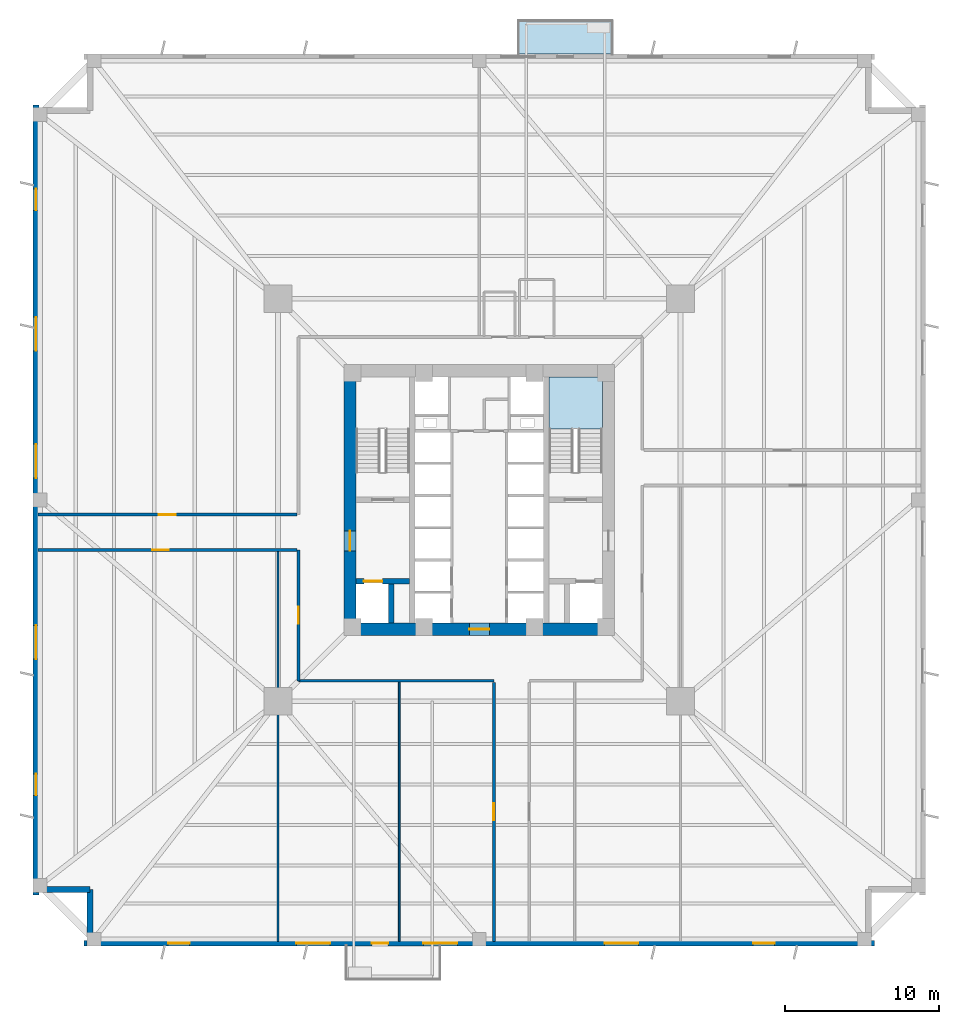
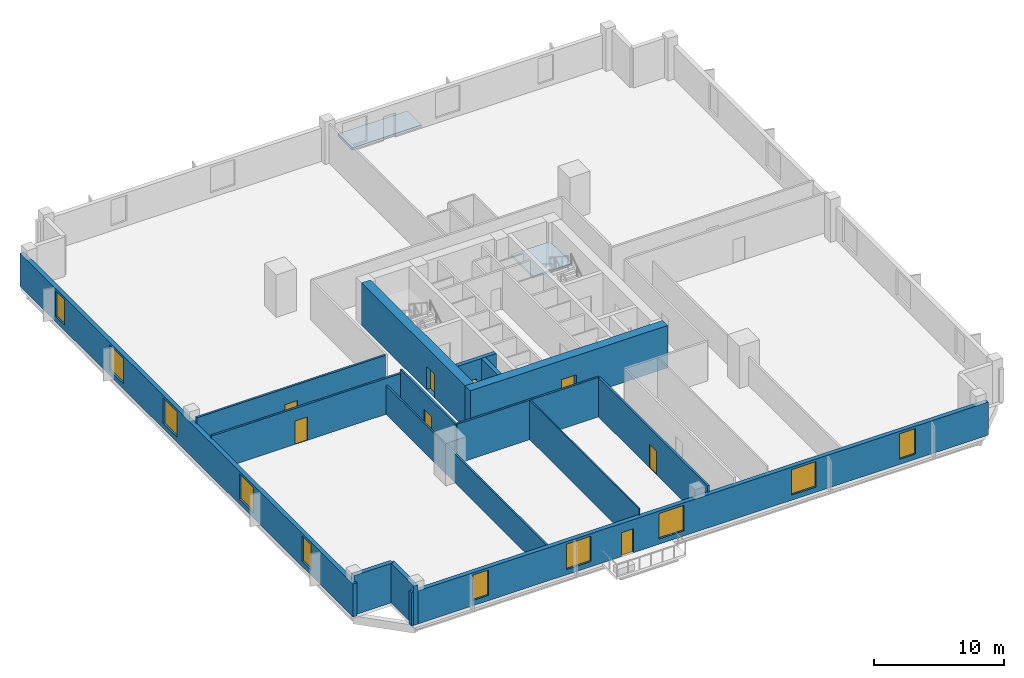
# One storey, part 2 of 8: 15 walls, 10 windows, 8 doors, 2 slabs, 18 openings, 1 element without a shape of its own.
"""IFC4 building model written with IfcOpenShell, lengths in metres."""

from ifc_helpers import new_model, si_unit, direction, frame, frame_2d, origin, place, context, subcontext, project, spatial, polyline, rectangle, outline, extrude, source, transform, mapped, material, layer, layer_set, type_object, element, fill, aggregate, save


model = new_model("IFC4")

# Units and contexts
model_context = context("Model", 3, precision=1e-05, world=origin(), true_north=direction((0.0, 1.0)))
body_context = subcontext(model_context, "Body", "Model", "MODEL_VIEW")
ifc_project = project(units=[si_unit("LENGTHUNIT", "METRE"), si_unit("AREAUNIT", "SQUARE_METRE"), si_unit("VOLUMEUNIT", "CUBIC_METRE"), si_unit("PLANEANGLEUNIT", "RADIAN"), si_unit("MASSUNIT", "GRAM", prefix="KILO"), si_unit("THERMODYNAMICTEMPERATUREUNIT", "KELVIN")], contexts=[model_context])

# Site, building, storey
site_placement = place(None, origin())
site = spatial("IfcSite", under=ifc_project, at=site_placement, CompositionType="ELEMENT")
building_placement = place(site_placement, origin())
building = spatial("IfcBuilding", under=site, at=building_placement, Name="Kosmvard Interchange Tower", CompositionType="ELEMENT")
storey_placement = place(building_placement, frame((0.0, 0.0, 54.0)))
storey = spatial("IfcBuildingStorey", under=building, at=storey_placement, Name="L12", CompositionType="ELEMENT", Elevation=54.0)

# Stair, slab
ifc_material_1 = material(Name="Concrete C50/60", Category="concrete")
stair_type = type_object("IfcStairType", Name="Dog-Leg Core Exit Stair H4000 C50/60", PredefinedType="HALF_TURN_STAIR", material=ifc_material_1)
stair_placement = place(storey_placement, origin())
stair = element("IfcStair", 1, at=stair_placement, inside=storey, type_object=stair_type, Name="L12 Protected Exit Stair ST-2", PredefinedType="HALF_TURN_STAIR")
ifc_layer_1 = layer(ifc_material_1, 0.199951171875, Name="Concrete C50/60")
ifc_layer_set_1 = layer_set([ifc_layer_1], Name="Concrete C50/60")
slab_type_1 = type_object("IfcSlabType", Name="Stair Half-Landing Slab 200 C50/60", PredefinedType="LANDING", material=ifc_layer_set_1)
slab_1_placement = place(storey_placement, frame((0.0, 0.0, 1.800048828125)))
slab_1 = element("IfcSlab", 2, at=slab_1_placement, type_object=slab_type_1, Name="ST-2 landing 1", PredefinedType="LANDING", context=body_context, shape_type="SweptSolid", body=[
    extrude(outline(polyline([(8.0, 4.60009765625), (8.0, 8.0), (4.5400390625, 8.0), (4.5400390625, 4.60009765625), (8.0, 4.60009765625)])), origin(), (0.0, 0.0, 1.0), 0.199951171875),
])
aggregate(stair, [slab_1])

# Slab
ifc_layer_2 = layer(ifc_material_1, 0.22998046875, Name="Concrete C50/60")
ifc_layer_set_2 = layer_set([ifc_layer_2], Name="Concrete C50/60")
slab_type_2 = type_object("IfcSlabType", Name="Tree-Planter Cantilever Balcony Slab 230 C50/60", PredefinedType="FLOOR", material=ifc_layer_set_2)
slab_2_placement = place(storey_placement, frame((0.0, 0.0, -0.22998046875)))
element("IfcSlab", 3, at=slab_2_placement, inside=storey, type_object=slab_type_2, Name="L12 Outdoor Terrace Balcony Slab BAL-L12-N", PredefinedType="FLOOR", context=body_context, shape_type="SweptSolid", body=[
    extrude(outline(polyline([(2.5, 29.0), (8.699951171875, 29.0), (8.699951171875, 31.199951171875), (2.5, 31.199951171875), (2.5, 29.0)])), origin(), (0.0, 0.0, 1.0), 0.22998046875),
])

# Walls
ifc_material_2 = material(Name="Acoustic gypsum partition system")
ifc_layer_3 = layer(ifc_material_2, 0.14990234375, Name="Acoustic gypsum partition system")
ifc_layer_set_3 = layer_set([ifc_layer_3], Name="Acoustic gypsum partition system")
wall_type_1 = type_object("IfcWallType", Name="Acoustic Suite & Meeting Partition 150", PredefinedType="PARTITIONING", material=ifc_layer_set_3)
wall_1_placement = place(storey_placement, frame((-13.0810546875, -28.68505859375, 0.0), z_axis=(0.0, 0.0, 1.0), x_axis=(0.0, 1.0, 0.0)))
element("IfcWall", 4, at=wall_1_placement, inside=storey, type_object=wall_type_1, Name="L12 Room Partition 04.1", PredefinedType="PARTITIONING", context=body_context, shape_type="SweptSolid", body=[
    extrude(rectangle(XDim=25.340087890625, YDim=0.14990234375, at=frame_2d((12.669921875, 0.0))), origin(), (0.0, 0.0, 1.0), 2.7119140625),
])
ifc_material_3 = material(Name="Fire-rated gypsum partition system")
ifc_layer_4 = layer(ifc_material_3, 0.179931640625, Name="Fire-rated gypsum partition system")
ifc_layer_set_4 = layer_set([ifc_layer_4], Name="Fire-rated gypsum partition system")
wall_type_2 = type_object("IfcWallType", Name="Corridor & Hotel Compartment Partition 180", PredefinedType="PARTITIONING", material=ifc_layer_set_4)
wall_2_placement = place(storey_placement, frame((-11.75, -11.75, 0.0), z_axis=(0.0, 0.0, 1.0), x_axis=(1.0, 0.0, 0.0)))
element("IfcWall", 5, at=wall_2_placement, inside=storey, type_object=wall_type_2, Name="L12 Corridor Wall CSW", PredefinedType="PARTITIONING", context=body_context, shape_type="SweptSolid", body=[
    extrude(rectangle(XDim=12.699951171875, YDim=0.179931640625, at=frame_2d((6.35009765625, 0.0))), origin(), (0.0, 0.0, 1.0), 3.719970703125),
])

# Wall, opening, door
wall_3_placement = place(storey_placement, frame((-11.75, -11.75, 0.0), z_axis=(0.0, 0.0, 1.0), x_axis=(0.0, 1.0, 0.0)))
wall_3 = element("IfcWall", 6, at=wall_3_placement, inside=storey, type_object=wall_type_2, Name="L12 Corridor Wall CWS", PredefinedType="PARTITIONING", context=body_context, shape_type="SweptSolid", body=[
    extrude(rectangle(XDim=8.5, YDim=0.179931640625, at=frame_2d((4.25, 0.0))), origin(), (0.0, 0.0, 1.0), 3.719970703125),
])
opening_1_placement = place(wall_3_placement, frame((3.699951171875, 0.0, 0.0)))
opening_1 = element("IfcOpeningElement", 7, at=opening_1_placement, cuts=wall_3, Name="Opening L12-D09", PredefinedType="OPENING", context=body_context, shape_type="SweptSolid", body=[
    extrude(rectangle(XDim=1.10009765625, YDim=2.199951171875, at=frame_2d((0.550048828125, 1.10009765625))), frame((0.0, 0.10009765625, 0.0), z_axis=(0.0, -1.0, 0.0), x_axis=(1.0, 0.0, 0.0)), (0.0, 0.0, 1.0), 0.199951171875),
])
ifc_material_4 = material(Name="Engineered oak fire-rated timber", Category="wood")
door_type_1 = type_object("IfcDoorType", Name="Office Suite Entrance Door 1100x2200 FD30S", OperationType="NOTDEFINED", PredefinedType="DOOR", material=ifc_material_4)
shared_shape_1 = source(origin(), body_context, "Body", "SweptSolid", [
    extrude(rectangle(XDim=1.10009765625, YDim=2.199951171875, at=frame_2d((0.550048828125, 1.10009765625))), frame((0.0, 0.02490234375, 0.0), z_axis=(0.0, -1.0, 0.0), x_axis=(1.0, 0.0, 0.0)), (0.0, 0.0, 1.0), 0.050048828125),
])
door_1_placement = place(opening_1_placement, origin())
door_1 = element("IfcDoor", 8, at=door_1_placement, inside=storey, type_object=door_type_1, Name="L12 Breakout Tea Pantry Door", OperationType="SINGLE_SWING_LEFT", OverallHeight=2.199951171875, OverallWidth=1.10009765625, PredefinedType="DOOR", context=body_context, shape_type="MappedRepresentation", body=[
    mapped(shared_shape_1, transform((0.0, 0.0, 0.0), scale=1.0)),
])
fill(opening_1, door_1)

wall_4_placement = place(storey_placement, frame((-28.68505859375, -3.25, 0.0), z_axis=(0.0, 0.0, 1.0), x_axis=(1.0, 0.0, 0.0)))
wall_4 = element("IfcWall", 9, at=wall_4_placement, inside=storey, type_object=wall_type_2, Name="L12 Corridor Wall SWS", PredefinedType="PARTITIONING", context=body_context, shape_type="SweptSolid", body=[
    extrude(rectangle(XDim=16.8349609375, YDim=0.179931640625, at=frame_2d((8.41748046875, 0.0))), origin(), (0.0, 0.0, 1.0), 3.389892578125),
])
opening_2_placement = place(wall_4_placement, frame((7.41650390625, 0.0, 0.0)))
opening_2 = element("IfcOpeningElement", 10, at=opening_2_placement, cuts=wall_4, Name="Opening L12-D08", PredefinedType="OPENING", context=body_context, shape_type="SweptSolid", body=[
    extrude(rectangle(XDim=1.10009765625, YDim=2.199951171875, at=frame_2d((0.550048828125, 1.10009765625))), frame((0.0, 0.10009765625, 0.0), z_axis=(0.0, -1.0, 0.0), x_axis=(1.0, 0.0, 0.0)), (0.0, 0.0, 1.0), 0.199951171875),
])
door_2_placement = place(opening_2_placement, frame((1.10009765625, 0.0, 0.0), z_axis=(0.0, 0.0, 1.0), x_axis=(-1.0, 0.0, 0.0)))
door_2 = element("IfcDoor", 11, at=door_2_placement, inside=storey, type_object=door_type_1, Name="L12 West Open Design Studio Door", OperationType="SINGLE_SWING_RIGHT", OverallHeight=2.199951171875, OverallWidth=1.10009765625, PredefinedType="DOOR", context=body_context, shape_type="MappedRepresentation", body=[
    mapped(shared_shape_1, transform((0.0, 0.0, 0.0), scale=1.0)),
])
fill(opening_2, door_2)

wall_5_placement = place(storey_placement, frame((-28.68505859375, -0.949951171875, 0.0), z_axis=(0.0, 0.0, 1.0), x_axis=(1.0, 0.0, 0.0)))
wall_5 = element("IfcWall", 12, at=wall_5_placement, inside=storey, type_object=wall_type_2, Name="L12 Corridor Wall SWN", PredefinedType="PARTITIONING", context=body_context, shape_type="SweptSolid", body=[
    extrude(rectangle(XDim=16.8349609375, YDim=0.179931640625, at=frame_2d((8.41748046875, 0.0))), origin(), (0.0, 0.0, 1.0), 3.719970703125),
])
opening_3_placement = place(wall_5_placement, frame((7.867431640625, 0.0, 0.0)))
opening_3 = element("IfcOpeningElement", 13, at=opening_3_placement, cuts=wall_5, Name="Opening L12-D03", PredefinedType="OPENING", context=body_context, shape_type="SweptSolid", body=[
    extrude(rectangle(XDim=1.10009765625, YDim=2.199951171875, at=frame_2d((0.550048828125, 1.10009765625))), frame((0.0, 0.10009765625, 0.0), z_axis=(0.0, -1.0, 0.0), x_axis=(1.0, 0.0, 0.0)), (0.0, 0.0, 1.0), 0.199951171875),
])
door_3_placement = place(opening_3_placement, origin())
door_3 = element("IfcDoor", 14, at=door_3_placement, inside=storey, type_object=door_type_1, Name="L12 Technical Reference Library Door", OperationType="SINGLE_SWING_LEFT", OverallHeight=2.199951171875, OverallWidth=1.10009765625, PredefinedType="DOOR", context=body_context, shape_type="MappedRepresentation", body=[
    mapped(shared_shape_1, transform((0.0, 0.0, 0.0), scale=1.0)),
])
fill(opening_3, door_3)

wall_6_placement = place(storey_placement, frame((0.949951171875, -28.68505859375, 0.0), z_axis=(0.0, 0.0, 1.0), x_axis=(0.0, 1.0, 0.0)))
wall_6 = element("IfcWall", 15, at=wall_6_placement, inside=storey, type_object=wall_type_2, Name="L12 Corridor Wall SSW", PredefinedType="PARTITIONING", context=body_context, shape_type="SweptSolid", body=[
    extrude(rectangle(XDim=16.8349609375, YDim=0.179931640625, at=frame_2d((8.41748046875, 0.0))), origin(), (0.0, 0.0, 1.0), 3.719970703125),
])
opening_4_placement = place(wall_6_placement, frame((7.867431640625, 0.0, 0.0)))
opening_4 = element("IfcOpeningElement", 16, at=opening_4_placement, cuts=wall_6, Name="Opening L12-D10", PredefinedType="OPENING", context=body_context, shape_type="SweptSolid", body=[
    extrude(rectangle(XDim=1.10009765625, YDim=2.199951171875, at=frame_2d((0.550048828125, 1.10009765625))), frame((0.0, 0.10009765625, 0.0), z_axis=(0.0, -1.0, 0.0), x_axis=(1.0, 0.0, 0.0)), (0.0, 0.0, 1.0), 0.199951171875),
])
door_4_placement = place(opening_4_placement, origin())
door_4 = element("IfcDoor", 17, at=door_4_placement, inside=storey, type_object=door_type_1, Name="L12 Tenant Archive Store Door", OperationType="SINGLE_SWING_RIGHT", OverallHeight=2.199951171875, OverallWidth=1.10009765625, PredefinedType="DOOR", context=body_context, shape_type="MappedRepresentation", body=[
    mapped(shared_shape_1, transform((0.0, 0.0, 0.0), scale=1.0)),
])
fill(opening_4, door_4)

ifc_material_5 = material(Name="Concrete C80/95", Category="concrete")
ifc_layer_5 = layer(ifc_material_5, 0.800048828125, Name="Concrete C80/95")
ifc_layer_set_5 = layer_set([ifc_layer_5], Name="Concrete C80/95")
wall_type_3 = type_object("IfcWallType", Name="Lower Core Shear Wall 800 C80/95", PredefinedType="SHEAR", material=ifc_layer_set_5)
wall_7_placement = place(storey_placement, frame((-8.800048828125, -8.39990234375, 0.0), z_axis=(0.0, 0.0, 1.0), x_axis=(1.0, 0.0, 0.0)))
wall_7 = element("IfcWall", 18, at=wall_7_placement, inside=storey, type_object=wall_type_3, Name="L12 Core Shear Wall CW-S", PredefinedType="SHEAR", context=body_context, shape_type="SweptSolid", body=[
    extrude(rectangle(XDim=17.60009765625, YDim=0.800048828125, at=frame_2d((8.800048828125, 0.0))), origin(), (0.0, 0.0, 1.0), 4.0),
])
opening_5_placement = place(wall_7_placement, frame((8.14990234375, 0.0, 0.0)))
opening_5 = element("IfcOpeningElement", 19, at=opening_5_placement, cuts=wall_7, Name="Opening L12-LD0", PredefinedType="OPENING", context=body_context, shape_type="SweptSolid", body=[
    extrude(rectangle(XDim=1.300048828125, YDim=2.199951171875, at=frame_2d((0.64990234375, 1.10009765625))), frame((0.0, 0.41015625, 0.0), z_axis=(0.0, -1.0, 0.0), x_axis=(1.0, 0.0, 0.0)), (0.0, 0.0, 1.0), 0.820068359375),
])
ifc_material_6 = material(Name="Painted fire-rated steel leaf", Category="steel")
door_type_2 = type_object("IfcDoorType", Name="Firefighting Lobby Door 1300x2200 EI60", OperationType="NOTDEFINED", PredefinedType="DOOR", material=ifc_material_6)
shared_shape_2 = source(origin(), body_context, "Body", "SweptSolid", [
    extrude(rectangle(XDim=1.300048828125, YDim=2.199951171875, at=frame_2d((0.64990234375, 1.10009765625))), frame((0.0, 0.02490234375, 0.0), z_axis=(0.0, -1.0, 0.0), x_axis=(1.0, 0.0, 0.0)), (0.0, 0.0, 1.0), 0.050048828125),
])
door_5_placement = place(opening_5_placement, frame((1.300048828125, 0.0, 0.0), z_axis=(0.0, 0.0, 1.0), x_axis=(-1.0, 0.0, 0.0)))
door_5 = element("IfcDoor", 20, at=door_5_placement, inside=storey, type_object=door_type_2, Name="L12 Passenger Lift Lobby South Door", OperationType="SINGLE_SWING_RIGHT", OverallHeight=2.199951171875, OverallWidth=1.300048828125, PredefinedType="DOOR", context=body_context, shape_type="MappedRepresentation", body=[
    mapped(shared_shape_2, transform((0.0, 0.0, 0.0), scale=1.0)),
])
fill(opening_5, door_5)

wall_8_placement = place(storey_placement, frame((-8.39990234375, -8.0, 0.0), z_axis=(0.0, 0.0, 1.0), x_axis=(0.0, 1.0, 0.0)))
wall_8 = element("IfcWall", 21, at=wall_8_placement, inside=storey, type_object=wall_type_3, Name="L12 Core Shear Wall CW-W", PredefinedType="SHEAR", context=body_context, shape_type="SweptSolid", body=[
    extrude(rectangle(XDim=16.0, YDim=0.800048828125, at=frame_2d((8.0, 0.0))), origin(), (0.0, 0.0, 1.0), 4.0),
])
opening_6_placement = place(wall_8_placement, frame((4.68994140625, 0.0, 0.0)))
opening_6 = element("IfcOpeningElement", 22, at=opening_6_placement, cuts=wall_8, Name="Opening L12-FD1", PredefinedType="OPENING", context=body_context, shape_type="SweptSolid", body=[
    extrude(rectangle(XDim=1.300048828125, YDim=2.199951171875, at=frame_2d((0.64990234375, 1.10009765625))), frame((0.0, 0.41015625, 0.0), z_axis=(0.0, -1.0, 0.0), x_axis=(1.0, 0.0, 0.0)), (0.0, 0.0, 1.0), 0.820068359375),
])
door_6_placement = place(opening_6_placement, frame((1.300048828125, 0.0, 0.0), z_axis=(0.0, 0.0, 1.0), x_axis=(-1.0, 0.0, 0.0)))
door_6 = element("IfcDoor", 23, at=door_6_placement, inside=storey, type_object=door_type_2, Name="L12 Firefighting Lobby West Door", OperationType="SINGLE_SWING_LEFT", OverallHeight=2.199951171875, OverallWidth=1.300048828125, PredefinedType="DOOR", context=body_context, shape_type="MappedRepresentation", body=[
    mapped(shared_shape_2, transform((0.0, 0.0, 0.0), scale=1.0)),
])
fill(opening_6, door_6)

# Wall, openings, door, windows
ifc_material_7 = material(Name="Precast concrete C45/55", Category="concrete")
ifc_layer_6 = layer(ifc_material_7, 0.3798828125, Name="Precast concrete C45/55")
ifc_layer_set_6 = layer_set([ifc_layer_6], Name="Precast concrete C45/55")
wall_type_4 = type_object("IfcWallType", Name="Lower Tower Precast Pier Wall 380 C45/55", PredefinedType="STANDARD", material=ifc_layer_set_6)
wall_9_placement = place(storey_placement, frame((-25.68994140625, -28.81005859375, 0.0), z_axis=(0.0, 0.0, 1.0), x_axis=(1.0, 0.0, 0.0)))
wall_9 = element("IfcWall", 24, at=wall_9_placement, inside=storey, type_object=wall_type_4, Name="L12 Precast Facade Wall F-S", PredefinedType="STANDARD", context=body_context, shape_type="SweptSolid", body=[
    extrude(rectangle(XDim=51.3798828125, YDim=0.3798828125, at=frame_2d((25.68994140625, 0.0))), origin(), (0.0, 0.0, 1.0), 3.1201171875),
])
opening_7_placement = place(wall_9_placement, frame((18.715087890625, 0.0, 0.0)))
opening_7 = element("IfcOpeningElement", 25, at=opening_7_placement, cuts=wall_9, Name="Opening L12-BDS", PredefinedType="OPENING", context=body_context, shape_type="SweptSolid", body=[
    extrude(rectangle(XDim=1.050048828125, YDim=2.25, at=frame_2d((0.52490234375, 1.125))), frame((0.0, 0.199951171875, 0.0), z_axis=(0.0, -1.0, 0.0), x_axis=(1.0, 0.0, 0.0)), (0.0, 0.0, 1.0), 0.39990234375),
])
opening_8_placement = place(wall_9_placement, frame((5.465576171875, 0.0, 0.489990234375)))
opening_8 = element("IfcOpeningElement", 26, at=opening_8_placement, cuts=wall_9, Name="Opening L12-W01", PredefinedType="OPENING", context=body_context, shape_type="SweptSolid", body=[
    extrude(rectangle(XDim=1.39990234375, YDim=2.39990234375, at=frame_2d((0.699951171875, 1.199951171875))), frame((0.0, 0.199951171875, 0.0), z_axis=(0.0, -1.0, 0.0), x_axis=(1.0, 0.0, 0.0)), (0.0, 0.0, 1.0), 0.39990234375),
])
opening_9_placement = place(wall_9_placement, frame((13.80029296875, 0.0, 0.489990234375)))
opening_9 = element("IfcOpeningElement", 27, at=opening_9_placement, cuts=wall_9, Name="Opening L12-W02", PredefinedType="OPENING", context=body_context, shape_type="SweptSolid", body=[
    extrude(rectangle(XDim=2.199951171875, YDim=2.39990234375, at=frame_2d((1.10009765625, 1.199951171875))), frame((0.0, 0.199951171875, 0.0), z_axis=(0.0, -1.0, 0.0), x_axis=(1.0, 0.0, 0.0)), (0.0, 0.0, 1.0), 0.39990234375),
])
opening_10_placement = place(wall_9_placement, frame((22.0625, 0.0, 0.489990234375)))
opening_10 = element("IfcOpeningElement", 28, at=opening_10_placement, cuts=wall_9, Name="Opening L12-W03", PredefinedType="OPENING", context=body_context, shape_type="SweptSolid", body=[
    extrude(rectangle(XDim=2.199951171875, YDim=2.39990234375, at=frame_2d((1.10009765625, 1.199951171875))), frame((0.0, 0.199951171875, 0.0), z_axis=(0.0, -1.0, 0.0), x_axis=(1.0, 0.0, 0.0)), (0.0, 0.0, 1.0), 0.39990234375),
])
opening_11_placement = place(wall_9_placement, frame((33.83837890625, 0.0, 0.489990234375)))
opening_11 = element("IfcOpeningElement", 29, at=opening_11_placement, cuts=wall_9, Name="Opening L12-W04", PredefinedType="OPENING", context=body_context, shape_type="SweptSolid", body=[
    extrude(rectangle(XDim=2.199951171875, YDim=2.39990234375, at=frame_2d((1.10009765625, 1.199951171875))), frame((0.0, 0.199951171875, 0.0), z_axis=(0.0, -1.0, 0.0), x_axis=(1.0, 0.0, 0.0)), (0.0, 0.0, 1.0), 0.39990234375),
])
opening_12_placement = place(wall_9_placement, frame((43.48681640625, 0.0, 0.489990234375)))
opening_12 = element("IfcOpeningElement", 30, at=opening_12_placement, cuts=wall_9, Name="Opening L12-W05", PredefinedType="OPENING", context=body_context, shape_type="SweptSolid", body=[
    extrude(rectangle(XDim=1.39990234375, YDim=2.39990234375, at=frame_2d((0.699951171875, 1.199951171875))), frame((0.0, 0.199951171875, 0.0), z_axis=(0.0, -1.0, 0.0), x_axis=(1.0, 0.0, 0.0)), (0.0, 0.0, 1.0), 0.39990234375),
])
ifc_material_8 = material(Name="Anodised aluminium and safety glass", Category="aluminium")
door_type_3 = type_object("IfcDoorType", Name="Tree-Balcony Glazed Door 1050x2250", OperationType="NOTDEFINED", PredefinedType="DOOR", material=ifc_material_8)
shared_shape_3 = source(origin(), body_context, "Body", "SweptSolid", [
    extrude(rectangle(XDim=1.050048828125, YDim=2.25, at=frame_2d((0.52490234375, 1.125))), frame((0.0, 0.02490234375, 0.0), z_axis=(0.0, -1.0, 0.0), x_axis=(1.0, 0.0, 0.0)), (0.0, 0.0, 1.0), 0.050048828125),
])
door_7_placement = place(opening_7_placement, origin())
door_7 = element("IfcDoor", 31, at=door_7_placement, inside=storey, type_object=door_type_3, Name="L12 Tree-Balcony Door BAL-L12-S", OperationType="SINGLE_SWING_LEFT", OverallHeight=2.25, OverallWidth=1.050048828125, PredefinedType="DOOR", context=body_context, shape_type="MappedRepresentation", body=[
    mapped(shared_shape_3, transform((0.0, 0.0, 0.0), scale=1.0)),
])
fill(opening_7, door_7)
ifc_material_9 = material(Name="Low-E solar-control double glazing", Category="glass")
window_type_1 = type_object("IfcWindowType", Name="Notched Corner Feature Window 1400x2400", PartitioningType="SINGLE_PANEL", PredefinedType="WINDOW", material=ifc_material_9)
shared_shape_4 = source(origin(), body_context, "Body", "SweptSolid", [
    extrude(rectangle(XDim=1.39990234375, YDim=2.39990234375, at=frame_2d((0.699951171875, 1.199951171875))), frame((0.0, 0.030029296875, 0.0), z_axis=(0.0, -1.0, 0.0), x_axis=(1.0, 0.0, 0.0)), (0.0, 0.0, 1.0), 0.06005859375),
])
window_1_placement = place(opening_8_placement, origin())
window_1 = element("IfcWindow", 32, at=window_1_placement, inside=storey, type_object=window_type_1, Name="L12 Facade Punched Window 01", OverallHeight=2.39990234375, OverallWidth=1.39990234375, PartitioningType="SINGLE_PANEL", PredefinedType="WINDOW", context=body_context, shape_type="MappedRepresentation", body=[
    mapped(shared_shape_4, transform((0.0, 0.0, 0.0), scale=1.0)),
])
fill(opening_8, window_1)
window_2_placement = place(opening_12_placement, origin())
window_2 = element("IfcWindow", 33, at=window_2_placement, inside=storey, type_object=window_type_1, Name="L12 Facade Punched Window 05", OverallHeight=2.39990234375, OverallWidth=1.39990234375, PartitioningType="SINGLE_PANEL", PredefinedType="WINDOW", context=body_context, shape_type="MappedRepresentation", body=[
    mapped(shared_shape_4, transform((0.0, 0.0, 0.0), scale=1.0)),
])
fill(opening_12, window_2)
window_type_2 = type_object("IfcWindowType", Name="Zone 1 Office Punched Window 2200x2400", PartitioningType="SINGLE_PANEL", PredefinedType="WINDOW", material=ifc_material_9)
shared_shape_5 = source(origin(), body_context, "Body", "SweptSolid", [
    extrude(rectangle(XDim=2.199951171875, YDim=2.39990234375, at=frame_2d((1.10009765625, 1.199951171875))), frame((0.0, 0.030029296875, 0.0), z_axis=(0.0, -1.0, 0.0), x_axis=(1.0, 0.0, 0.0)), (0.0, 0.0, 1.0), 0.06005859375),
])
window_3_placement = place(opening_9_placement, origin())
window_3 = element("IfcWindow", 34, at=window_3_placement, inside=storey, type_object=window_type_2, Name="L12 Facade Punched Window 02", OverallHeight=2.39990234375, OverallWidth=2.199951171875, PartitioningType="SINGLE_PANEL", PredefinedType="WINDOW", context=body_context, shape_type="MappedRepresentation", body=[
    mapped(shared_shape_5, transform((0.0, 0.0, 0.0), scale=1.0)),
])
fill(opening_9, window_3)
window_4_placement = place(opening_10_placement, origin())
window_4 = element("IfcWindow", 35, at=window_4_placement, inside=storey, type_object=window_type_2, Name="L12 Facade Punched Window 03", OverallHeight=2.39990234375, OverallWidth=2.199951171875, PartitioningType="SINGLE_PANEL", PredefinedType="WINDOW", context=body_context, shape_type="MappedRepresentation", body=[
    mapped(shared_shape_5, transform((0.0, 0.0, 0.0), scale=1.0)),
])
fill(opening_10, window_4)
window_5_placement = place(opening_11_placement, origin())
window_5 = element("IfcWindow", 36, at=window_5_placement, inside=storey, type_object=window_type_2, Name="L12 Facade Punched Window 04", OverallHeight=2.39990234375, OverallWidth=2.199951171875, PartitioningType="SINGLE_PANEL", PredefinedType="WINDOW", context=body_context, shape_type="MappedRepresentation", body=[
    mapped(shared_shape_5, transform((0.0, 0.0, 0.0), scale=1.0)),
])
fill(opening_11, window_5)

# Wall, openings, windows
wall_10_placement = place(storey_placement, frame((-28.81005859375, 25.68994140625, 0.0), z_axis=(0.0, 0.0, 1.0), x_axis=(0.0, -1.0, 0.0)))
wall_10 = element("IfcWall", 37, at=wall_10_placement, inside=storey, type_object=wall_type_4, Name="L12 Precast Facade Wall F-W", PredefinedType="STANDARD", context=body_context, shape_type="SweptSolid", body=[
    extrude(rectangle(XDim=51.3798828125, YDim=0.3798828125, at=frame_2d((25.68994140625, 0.0))), origin(), (0.0, 0.0, 1.0), 3.1201171875),
])
opening_13_placement = place(wall_10_placement, frame((5.465576171875, 0.0, 0.489990234375)))
opening_13 = element("IfcOpeningElement", 38, at=opening_13_placement, cuts=wall_10, Name="Opening L12-W16", PredefinedType="OPENING", context=body_context, shape_type="SweptSolid", body=[
    extrude(rectangle(XDim=1.39990234375, YDim=2.39990234375, at=frame_2d((0.699951171875, 1.199951171875))), frame((0.0, 0.199951171875, 0.0), z_axis=(0.0, -1.0, 0.0), x_axis=(1.0, 0.0, 0.0)), (0.0, 0.0, 1.0), 0.39990234375),
])
opening_14_placement = place(wall_10_placement, frame((13.80029296875, 0.0, 0.489990234375)))
opening_14 = element("IfcOpeningElement", 39, at=opening_14_placement, cuts=wall_10, Name="Opening L12-W17", PredefinedType="OPENING", context=body_context, shape_type="SweptSolid", body=[
    extrude(rectangle(XDim=2.199951171875, YDim=2.39990234375, at=frame_2d((1.10009765625, 1.199951171875))), frame((0.0, 0.199951171875, 0.0), z_axis=(0.0, -1.0, 0.0), x_axis=(1.0, 0.0, 0.0)), (0.0, 0.0, 1.0), 0.39990234375),
])
opening_15_placement = place(wall_10_placement, frame((22.0625, 0.0, 0.489990234375)))
opening_15 = element("IfcOpeningElement", 40, at=opening_15_placement, cuts=wall_10, Name="Opening L12-W18", PredefinedType="OPENING", context=body_context, shape_type="SweptSolid", body=[
    extrude(rectangle(XDim=2.199951171875, YDim=2.39990234375, at=frame_2d((1.10009765625, 1.199951171875))), frame((0.0, 0.199951171875, 0.0), z_axis=(0.0, -1.0, 0.0), x_axis=(1.0, 0.0, 0.0)), (0.0, 0.0, 1.0), 0.39990234375),
])
opening_16_placement = place(wall_10_placement, frame((33.83837890625, 0.0, 0.489990234375)))
opening_16 = element("IfcOpeningElement", 41, at=opening_16_placement, cuts=wall_10, Name="Opening L12-W19", PredefinedType="OPENING", context=body_context, shape_type="SweptSolid", body=[
    extrude(rectangle(XDim=2.199951171875, YDim=2.39990234375, at=frame_2d((1.10009765625, 1.199951171875))), frame((0.0, 0.199951171875, 0.0), z_axis=(0.0, -1.0, 0.0), x_axis=(1.0, 0.0, 0.0)), (0.0, 0.0, 1.0), 0.39990234375),
])
opening_17_placement = place(wall_10_placement, frame((43.48681640625, 0.0, 0.489990234375)))
opening_17 = element("IfcOpeningElement", 42, at=opening_17_placement, cuts=wall_10, Name="Opening L12-W20", PredefinedType="OPENING", context=body_context, shape_type="SweptSolid", body=[
    extrude(rectangle(XDim=1.39990234375, YDim=2.39990234375, at=frame_2d((0.699951171875, 1.199951171875))), frame((0.0, 0.199951171875, 0.0), z_axis=(0.0, -1.0, 0.0), x_axis=(1.0, 0.0, 0.0)), (0.0, 0.0, 1.0), 0.39990234375),
])
window_6_placement = place(opening_13_placement, origin())
window_6 = element("IfcWindow", 43, at=window_6_placement, inside=storey, type_object=window_type_1, Name="L12 Facade Punched Window 16", OverallHeight=2.39990234375, OverallWidth=1.39990234375, PartitioningType="SINGLE_PANEL", PredefinedType="WINDOW", context=body_context, shape_type="MappedRepresentation", body=[
    mapped(shared_shape_4, transform((0.0, 0.0, 0.0), scale=1.0)),
])
fill(opening_13, window_6)
window_7_placement = place(opening_17_placement, origin())
window_7 = element("IfcWindow", 44, at=window_7_placement, inside=storey, type_object=window_type_1, Name="L12 Facade Punched Window 20", OverallHeight=2.39990234375, OverallWidth=1.39990234375, PartitioningType="SINGLE_PANEL", PredefinedType="WINDOW", context=body_context, shape_type="MappedRepresentation", body=[
    mapped(shared_shape_4, transform((0.0, 0.0, 0.0), scale=1.0)),
])
fill(opening_17, window_7)
window_8_placement = place(opening_14_placement, origin())
window_8 = element("IfcWindow", 45, at=window_8_placement, inside=storey, type_object=window_type_2, Name="L12 Facade Punched Window 17", OverallHeight=2.39990234375, OverallWidth=2.199951171875, PartitioningType="SINGLE_PANEL", PredefinedType="WINDOW", context=body_context, shape_type="MappedRepresentation", body=[
    mapped(shared_shape_5, transform((0.0, 0.0, 0.0), scale=1.0)),
])
fill(opening_14, window_8)
window_9_placement = place(opening_15_placement, origin())
window_9 = element("IfcWindow", 46, at=window_9_placement, inside=storey, type_object=window_type_2, Name="L12 Facade Punched Window 18", OverallHeight=2.39990234375, OverallWidth=2.199951171875, PartitioningType="SINGLE_PANEL", PredefinedType="WINDOW", context=body_context, shape_type="MappedRepresentation", body=[
    mapped(shared_shape_5, transform((0.0, 0.0, 0.0), scale=1.0)),
])
fill(opening_15, window_9)
window_10_placement = place(opening_16_placement, origin())
window_10 = element("IfcWindow", 47, at=window_10_placement, inside=storey, type_object=window_type_2, Name="L12 Facade Punched Window 19", OverallHeight=2.39990234375, OverallWidth=2.199951171875, PartitioningType="SINGLE_PANEL", PredefinedType="WINDOW", context=body_context, shape_type="MappedRepresentation", body=[
    mapped(shared_shape_5, transform((0.0, 0.0, 0.0), scale=1.0)),
])
fill(opening_16, window_10)

# Walls
wall_11_placement = place(storey_placement, frame((-28.81005859375, -25.31005859375, 0.0), z_axis=(0.0, 0.0, 1.0), x_axis=(1.0, 0.0, 0.0)))
element("IfcWall", 48, at=wall_11_placement, inside=storey, type_object=wall_type_4, Name="L12 Precast Facade Wall N-SW1", PredefinedType="STANDARD", context=body_context, shape_type="SweptSolid", body=[
    extrude(rectangle(XDim=3.5, YDim=0.3798828125, at=frame_2d((1.75, 0.0))), origin(), (0.0, 0.0, 1.0), 3.719970703125),
])
wall_12_placement = place(storey_placement, frame((-25.31005859375, -25.31005859375, 0.0), z_axis=(0.0, 0.0, 1.0), x_axis=(0.0, -1.0, 0.0)))
element("IfcWall", 49, at=wall_12_placement, inside=storey, type_object=wall_type_4, Name="L12 Precast Facade Wall N-SW2", PredefinedType="STANDARD", context=body_context, shape_type="SweptSolid", body=[
    extrude(rectangle(XDim=3.68994140625, YDim=0.3798828125, at=frame_2d((1.844970703125, 0.0))), origin(), (0.0, 0.0, 1.0), 3.719970703125),
])
ifc_material_10 = material(Name="Gypsum board partition system")
ifc_layer_7 = layer(ifc_material_10, 0.1201171875, Name="Gypsum board partition system")
ifc_layer_set_7 = layer_set([ifc_layer_7], Name="Gypsum board partition system")
wall_type_5 = type_object("IfcWallType", Name="Office Cellular Partition 120", PredefinedType="PARTITIONING", material=ifc_layer_set_7)
wall_13_placement = place(storey_placement, frame((-5.199951171875, -28.68505859375, 0.0), z_axis=(0.0, 0.0, 1.0), x_axis=(0.0, 1.0, 0.0)))
element("IfcWall", 50, at=wall_13_placement, inside=storey, type_object=wall_type_5, Name="L12 Room Partition 05.1", PredefinedType="PARTITIONING", context=body_context, shape_type="SweptSolid", body=[
    extrude(rectangle(XDim=16.840087890625, YDim=0.1201171875, at=frame_2d((8.419921875, 0.0))), origin(), (0.0, 0.0, 1.0), 3.719970703125),
])

# Wall, opening, door
ifc_material_11 = material(Name="Concrete C60/75", Category="concrete")
ifc_layer_8 = layer(ifc_material_11, 0.360107421875, Name="Concrete C60/75")
ifc_layer_set_8 = layer_set([ifc_layer_8], Name="Concrete C60/75")
wall_type_6 = type_object("IfcWallType", Name="Stair & Lift Shaft Shear Wall 360 C60/75", PredefinedType="SHEAR", material=ifc_layer_set_8)
wall_14_placement = place(storey_placement, frame((-8.0, -5.280029296875, 0.0), z_axis=(0.0, 0.0, 1.0), x_axis=(1.0, 0.0, 0.0)))
wall_14 = element("IfcWall", 51, at=wall_14_placement, inside=storey, type_object=wall_type_6, Name="L12 Shaft Shear Wall SW-FF1", PredefinedType="SHEAR", context=body_context, shape_type="SweptSolid", body=[
    extrude(rectangle(XDim=3.4599609375, YDim=0.360107421875, at=frame_2d((1.72998046875, 0.0))), origin(), (0.0, 0.0, 1.0), 4.0),
])
opening_18_placement = place(wall_14_placement, frame((0.5, 0.0, 0.0)))
opening_18 = element("IfcOpeningElement", 52, at=opening_18_placement, cuts=wall_14, Name="Opening LD-FF-1-L12", PredefinedType="OPENING", context=body_context, shape_type="SweptSolid", body=[
    extrude(rectangle(XDim=1.199951171875, YDim=2.25, at=frame_2d((0.60009765625, 1.125))), frame((0.0, 0.18994140625, 0.0), z_axis=(0.0, -1.0, 0.0), x_axis=(1.0, 0.0, 0.0)), (0.0, 0.0, 1.0), 0.380126953125),
])
ifc_material_12 = material(Name="Brushed stainless steel sliding leaf", Category="steel")
door_type_4 = type_object("IfcDoorType", Name="Firefighting Lift Sliding Landing Door 1200x2250 EI120", OperationType="DOUBLE_DOOR_SLIDING", PredefinedType="DOOR", material=ifc_material_12)
shared_shape_6 = source(origin(), body_context, "Body", "SweptSolid", [
    extrude(rectangle(XDim=1.199951171875, YDim=2.25, at=frame_2d((0.60009765625, 1.125))), frame((0.0, 0.02490234375, 0.0), z_axis=(0.0, -1.0, 0.0), x_axis=(1.0, 0.0, 0.0)), (0.0, 0.0, 1.0), 0.050048828125),
])
door_8_placement = place(opening_18_placement, origin())
door_8 = element("IfcDoor", 53, at=door_8_placement, inside=storey, type_object=door_type_4, Name="Lift FF-1 Landing Door L12", OperationType="DOUBLE_DOOR_SLIDING", OverallHeight=2.25, OverallWidth=1.199951171875, PredefinedType="DOOR", context=body_context, shape_type="MappedRepresentation", body=[
    mapped(shared_shape_6, transform((0.0, 0.0, 0.0), scale=1.0)),
])
fill(opening_18, door_8)

# Wall
wall_15_placement = place(storey_placement, frame((-5.7099609375, -8.0, 0.0), z_axis=(0.0, 0.0, 1.0), x_axis=(0.0, 1.0, 0.0)))
element("IfcWall", 54, at=wall_15_placement, inside=storey, type_object=wall_type_6, Name="L12 Shaft Shear Wall SW-SM1", PredefinedType="SHEAR", context=body_context, shape_type="SweptSolid", body=[
    extrude(rectangle(XDim=2.5400390625, YDim=0.360107421875, at=frame_2d((1.27001953125, 0.0))), origin(), (0.0, 0.0, 1.0), 4.0),
])

save(model, "model.ifc")
